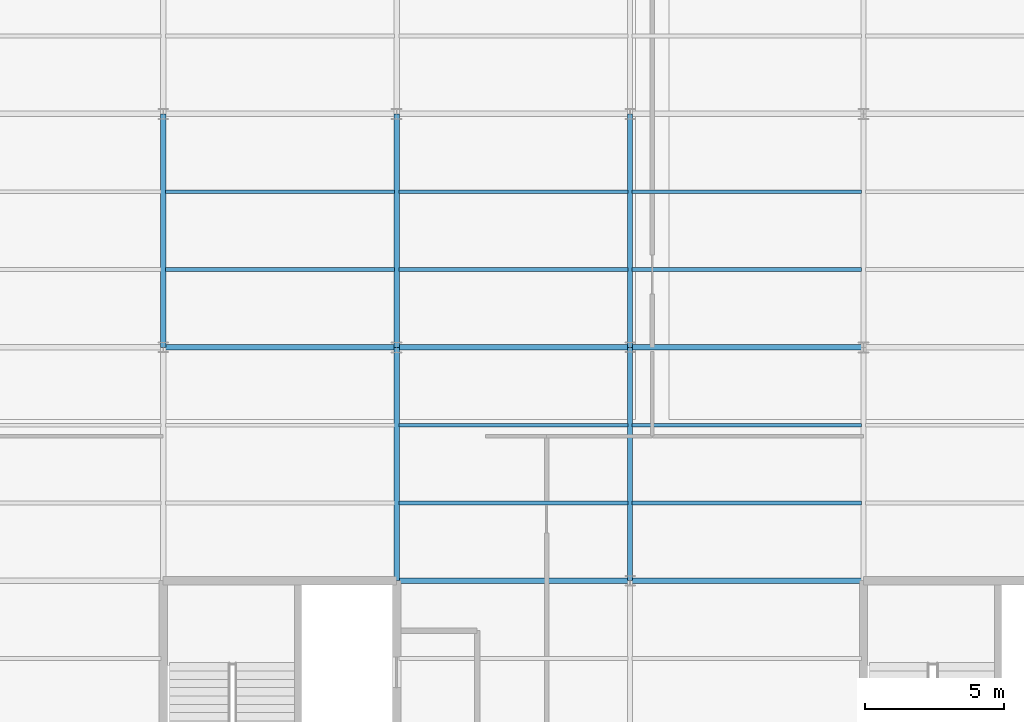
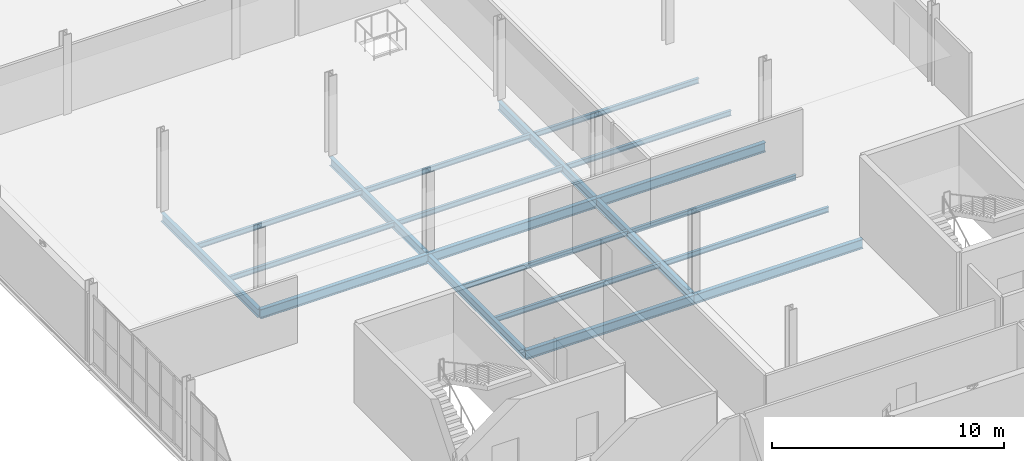
# One storey, part 33 of 163: 20 beams.
"""IFC4 building model written with IfcOpenShell, lengths in metres."""

from ifc_helpers import new_model, si_unit, direction, frame, origin, origin_2d, place, context, subcontext, project, spatial, i_section, extrude, material, material_profile, profile_set, type_object, element, save


model = new_model("IFC4")

# Units and contexts
model_context = context("Model", 3, precision=1e-05, world=origin(), true_north=direction((0.0, 1.0)))
body_context = subcontext(model_context, "Body", "Model", "MODEL_VIEW")
ifc_project = project(units=[si_unit("LENGTHUNIT", "METRE"), si_unit("AREAUNIT", "SQUARE_METRE"), si_unit("VOLUMEUNIT", "CUBIC_METRE"), si_unit("PLANEANGLEUNIT", "RADIAN"), si_unit("MASSUNIT", "GRAM", prefix="KILO")], contexts=[model_context])

# Site, building, storey
site_placement = place(None, origin())
site = spatial("IfcSite", under=ifc_project, at=site_placement, CompositionType="ELEMENT")
building_placement = place(site_placement, origin())
building = spatial("IfcBuilding", under=site, at=building_placement, Name="Qalvenar Corner Mobility Hub", CompositionType="ELEMENT")
storey_placement = place(building_placement, frame((0.0, 0.0, 4.800048828125)))
storey = spatial("IfcBuildingStorey", under=building, at=storey_placement, Name="L01", CompositionType="ELEMENT", Elevation=4.800048828125)

# Beams
ifc_material = material(Name="Steel S355", Category="steel")
ifc_material_profile_1 = material_profile(ifc_material, i_section(OverallWidth=0.18994140625, OverallDepth=0.449951171875, WebThickness=0.009521484375, FlangeThickness=0.0146484375, FilletRadius=0.02099609375, at=origin_2d()), Name="IPE450")
ifc_profile_set_1 = profile_set([ifc_material_profile_1], Name="Steel S355")
beam_type_1 = type_object("IfcBeamType", Name="BM-IPE450", PredefinedType="BEAM", material=ifc_profile_set_1)
beam_1_placement = place(storey_placement, frame((8.39990234375, 25.199951171875, -0.405029296875), z_axis=(0.0, 1.0, 0.0), x_axis=(-1.0, 0.0, 0.0)))
element("IfcBeam", 1, at=beam_1_placement, inside=storey, type_object=beam_type_1, Name="Primary Steel Girder GY-0859", PredefinedType="BEAM", context=body_context, shape_type="SweptSolid", body=[
    extrude(i_section(OverallWidth=0.18994140625, OverallDepth=0.449951171875, WebThickness=0.009521484375, FlangeThickness=0.0146484375, FilletRadius=0.02099609375, at=origin_2d()), origin(), (0.0, 0.0, 1.0), 8.400146484375),
])
beam_2_placement = place(storey_placement, frame((16.800048828125, 16.800048828125, -0.405029296875), z_axis=(0.0, 1.0, 0.0), x_axis=(-1.0, 0.0, 0.0)))
element("IfcBeam", 2, at=beam_2_placement, inside=storey, type_object=beam_type_1, Name="Primary Steel Girder GY-0863", PredefinedType="BEAM", context=body_context, shape_type="SweptSolid", body=[
    extrude(i_section(OverallWidth=0.18994140625, OverallDepth=0.449951171875, WebThickness=0.009521484375, FlangeThickness=0.0146484375, FilletRadius=0.02099609375, at=origin_2d()), origin(), (0.0, 0.0, 1.0), 8.39990234375),
])
beam_3_placement = place(storey_placement, frame((16.800048828125, 25.199951171875, -0.405029296875), z_axis=(0.0, 1.0, 0.0), x_axis=(-1.0, 0.0, 0.0)))
element("IfcBeam", 3, at=beam_3_placement, inside=storey, type_object=beam_type_1, Name="Primary Steel Girder GY-0864", PredefinedType="BEAM", context=body_context, shape_type="SweptSolid", body=[
    extrude(i_section(OverallWidth=0.18994140625, OverallDepth=0.449951171875, WebThickness=0.009521484375, FlangeThickness=0.0146484375, FilletRadius=0.02099609375, at=origin_2d()), origin(), (0.0, 0.0, 1.0), 8.400146484375),
])
beam_4_placement = place(storey_placement, frame((25.199951171875, 16.800048828125, -0.405029296875), z_axis=(0.0, 1.0, 0.0), x_axis=(-1.0, 0.0, 0.0)))
element("IfcBeam", 4, at=beam_4_placement, inside=storey, type_object=beam_type_1, Name="Primary Steel Girder GY-0868", PredefinedType="BEAM", context=body_context, shape_type="SweptSolid", body=[
    extrude(i_section(OverallWidth=0.18994140625, OverallDepth=0.449951171875, WebThickness=0.009521484375, FlangeThickness=0.0146484375, FilletRadius=0.02099609375, at=origin_2d()), origin(), (0.0, 0.0, 1.0), 8.39990234375),
])
beam_5_placement = place(storey_placement, frame((25.199951171875, 25.199951171875, -0.405029296875), z_axis=(0.0, 1.0, 0.0), x_axis=(-1.0, 0.0, 0.0)))
element("IfcBeam", 5, at=beam_5_placement, inside=storey, type_object=beam_type_1, Name="Primary Steel Girder GY-0869", PredefinedType="BEAM", context=body_context, shape_type="SweptSolid", body=[
    extrude(i_section(OverallWidth=0.18994140625, OverallDepth=0.449951171875, WebThickness=0.009521484375, FlangeThickness=0.0146484375, FilletRadius=0.02099609375, at=origin_2d()), origin(), (0.0, 0.0, 1.0), 8.400146484375),
])
ifc_material_profile_2 = material_profile(ifc_material, i_section(OverallWidth=0.199951171875, OverallDepth=0.5, WebThickness=0.01025390625, FlangeThickness=0.01611328125, FilletRadius=0.02099609375, at=origin_2d()), Name="IPE500")
ifc_profile_set_2 = profile_set([ifc_material_profile_2], Name="Steel S355")
beam_type_2 = type_object("IfcBeamType", Name="BM-IPE500", PredefinedType="BEAM", material=ifc_profile_set_2)
beam_6_placement = place(storey_placement, frame((16.800048828125, 16.800048828125, -0.429931640625), z_axis=(1.0, 0.0, 0.0), x_axis=(0.0, 1.0, 0.0)))
element("IfcBeam", 6, at=beam_6_placement, inside=storey, type_object=beam_type_2, Name="Primary Steel Girder GX-0829", PredefinedType="BEAM", context=body_context, shape_type="SweptSolid", body=[
    extrude(i_section(OverallWidth=0.199951171875, OverallDepth=0.5, WebThickness=0.01025390625, FlangeThickness=0.01611328125, FilletRadius=0.02099609375, at=origin_2d()), origin(), (0.0, 0.0, 1.0), 8.39990234375),
])
for number, where, z_axis, x_axis, name in (
    (7, (25.199951171875, 16.800048828125, -0.429931640625), (1.0, 0.0, 0.0), (0.0, 1.0, 0.0), "Primary Steel Girder GX-0830"),
    (8, (8.39990234375, 25.199951171875, -0.429931640625), (1.0, 0.0, 0.0), (0.0, 1.0, 0.0), "Primary Steel Girder GX-0834"),
):
    element("IfcBeam", number, at=place(storey_placement, frame(where, z_axis=z_axis, x_axis=x_axis)), inside=storey, type_object=beam_type_2, Name=name, PredefinedType="BEAM", context=body_context, shape_type="SweptSolid", body=[
        extrude(i_section(OverallWidth=0.199951171875, OverallDepth=0.5, WebThickness=0.01025390625, FlangeThickness=0.01611328125, FilletRadius=0.02099609375, at=origin_2d()), origin(), (0.0, 0.0, 1.0), 8.400146484375),
    ])
beam_7_placement = place(storey_placement, frame((16.800048828125, 25.199951171875, -0.429931640625), z_axis=(1.0, 0.0, 0.0), x_axis=(0.0, 1.0, 0.0)))
element("IfcBeam", 9, at=beam_7_placement, inside=storey, type_object=beam_type_2, Name="Primary Steel Girder GX-0835", PredefinedType="BEAM", context=body_context, shape_type="SweptSolid", body=[
    extrude(i_section(OverallWidth=0.199951171875, OverallDepth=0.5, WebThickness=0.01025390625, FlangeThickness=0.01611328125, FilletRadius=0.02099609375, at=origin_2d()), origin(), (0.0, 0.0, 1.0), 8.39990234375),
])
beam_8_placement = place(storey_placement, frame((25.199951171875, 25.199951171875, -0.429931640625), z_axis=(1.0, 0.0, 0.0), x_axis=(0.0, 1.0, 0.0)))
element("IfcBeam", 10, at=beam_8_placement, inside=storey, type_object=beam_type_2, Name="Primary Steel Girder GX-0836", PredefinedType="BEAM", context=body_context, shape_type="SweptSolid", body=[
    extrude(i_section(OverallWidth=0.199951171875, OverallDepth=0.5, WebThickness=0.01025390625, FlangeThickness=0.01611328125, FilletRadius=0.02099609375, at=origin_2d()), origin(), (0.0, 0.0, 1.0), 8.400146484375),
])
ifc_material_profile_3 = material_profile(ifc_material, i_section(OverallWidth=0.135009765625, OverallDepth=0.27001953125, WebThickness=0.006591796875, FlangeThickness=0.01025390625, FilletRadius=0.014892578125, at=origin_2d()), Name="IPE270")
ifc_profile_set_3 = profile_set([ifc_material_profile_3], Name="Steel S355")
beam_type_3 = type_object("IfcBeamType", Name="BM-JST270", PredefinedType="JOIST", material=ifc_profile_set_3)
for number, where, z_axis, x_axis, name in (
    (11, (8.47802734375, 28.0, -0.31494140625), (1.0, 0.0, 0.0), (0.0, 1.0, 0.0), "Composite Floor Joist J-0901"),
    (12, (8.47802734375, 30.800048828125, -0.31494140625), (1.0, 0.0, 0.0), (0.0, 1.0, 0.0), "Composite Floor Joist J-0902"),
):
    element("IfcBeam", number, at=place(storey_placement, frame(where, z_axis=z_axis, x_axis=x_axis)), inside=storey, type_object=beam_type_3, Name=name, PredefinedType="JOIST", context=body_context, shape_type="SweptSolid", body=[
        extrude(i_section(OverallWidth=0.135009765625, OverallDepth=0.27001953125, WebThickness=0.006591796875, FlangeThickness=0.01025390625, FilletRadius=0.014892578125, at=origin_2d()), origin(), (0.0, 0.0, 1.0), 8.243896484375),
    ])
for number, where, z_axis, x_axis, name in (
    (13, (16.8779296875, 19.60009765625, -0.31494140625), (1.0, 0.0, 0.0), (0.0, 1.0, 0.0), "Composite Floor Joist J-0909"),
    (14, (16.8779296875, 22.39990234375, -0.31494140625), (1.0, 0.0, 0.0), (0.0, 1.0, 0.0), "Composite Floor Joist J-0910"),
    (15, (16.8779296875, 28.0, -0.31494140625), (1.0, 0.0, 0.0), (0.0, 1.0, 0.0), "Composite Floor Joist J-0911"),
    (16, (16.8779296875, 30.800048828125, -0.31494140625), (1.0, 0.0, 0.0), (0.0, 1.0, 0.0), "Composite Floor Joist J-0912"),
):
    element("IfcBeam", number, at=place(storey_placement, frame(where, z_axis=z_axis, x_axis=x_axis)), inside=storey, type_object=beam_type_3, Name=name, PredefinedType="JOIST", context=body_context, shape_type="SweptSolid", body=[
        extrude(i_section(OverallWidth=0.135009765625, OverallDepth=0.27001953125, WebThickness=0.006591796875, FlangeThickness=0.01025390625, FilletRadius=0.014892578125, at=origin_2d()), origin(), (0.0, 0.0, 1.0), 8.244140625),
    ])
for number, where, z_axis, x_axis, name in (
    (17, (25.278076171875, 19.60009765625, -0.31494140625), (1.0, 0.0, 0.0), (0.0, 1.0, 0.0), "Composite Floor Joist J-0919"),
    (18, (25.278076171875, 22.39990234375, -0.31494140625), (1.0, 0.0, 0.0), (0.0, 1.0, 0.0), "Composite Floor Joist J-0920"),
    (19, (25.278076171875, 28.0, -0.31494140625), (1.0, 0.0, 0.0), (0.0, 1.0, 0.0), "Composite Floor Joist J-0921"),
    (20, (25.278076171875, 30.800048828125, -0.31494140625), (1.0, 0.0, 0.0), (0.0, 1.0, 0.0), "Composite Floor Joist J-0922"),
):
    element("IfcBeam", number, at=place(storey_placement, frame(where, z_axis=z_axis, x_axis=x_axis)), inside=storey, type_object=beam_type_3, Name=name, PredefinedType="JOIST", context=body_context, shape_type="SweptSolid", body=[
        extrude(i_section(OverallWidth=0.135009765625, OverallDepth=0.27001953125, WebThickness=0.006591796875, FlangeThickness=0.01025390625, FilletRadius=0.014892578125, at=origin_2d()), origin(), (0.0, 0.0, 1.0), 8.243896484375),
    ])

save(model, "model.ifc")
